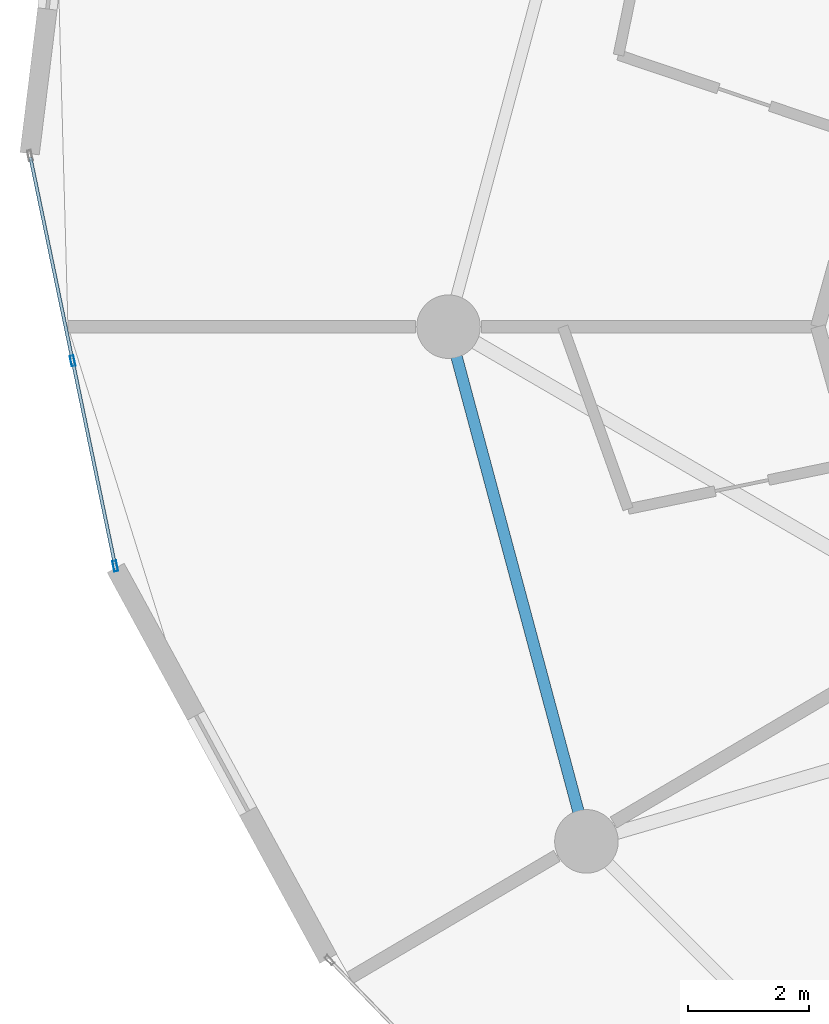
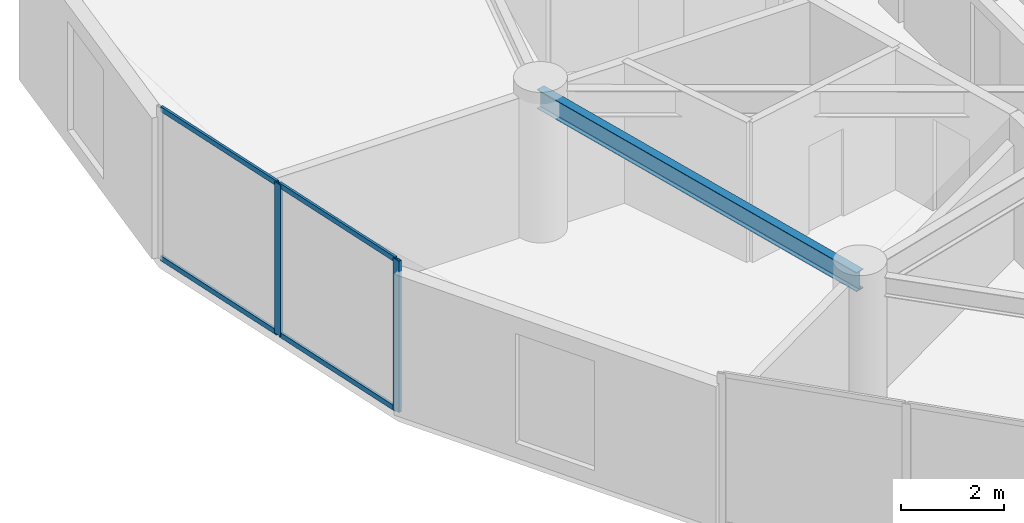
# One storey, part 6 of 25: 6 members, 1 beam, 1 element without a shape of its own.
"""IFC4 building model written with IfcOpenShell, lengths in metres."""

import ifcopenshell
import ifcopenshell.guid

model = None  # the IFC model being written
_history = None  # IfcOwnerHistory: only IFC2X3 demands one
_inside = {}  # id of a spatial element -> (the spatial element, [elements in it])
_under = {}  # id of a project, library or spatial element -> (it, [spatial elements below it])
_declared = {}  # id of a project -> (the project, [libraries it declares])
_typed = {}  # id of a type object -> (the type object, [elements of that type])
_made_of = {}  # id of a material, layer set ... -> (it, [elements and type objects made of it])


def new_model(schema):
    """Start an empty IFC model of exactly this schema.

    Asked for "IFC4X3", IfcOpenShell would pick the latest addendum, in which some entities
    have other attributes; the version numbers below select the first issue.
    IFC2X3 requires an IfcOwnerHistory on every rooted entity: one is made here for all.
    """
    global model, _history
    if schema == "IFC4X3":
        model = ifcopenshell.file(schema_version=(4, 3, 0, 0))
    else:
        model = ifcopenshell.file(schema=schema)
    _inside.clear()
    _under.clear()
    _declared.clear()
    _typed.clear()
    _made_of.clear()
    _history = None
    if model.schema == "IFC2X3":
        org = make("IfcOrganization", Name="unknown")
        user = make(
            "IfcPersonAndOrganization",
            ThePerson=make("IfcPerson", FamilyName="unknown"),
            TheOrganization=org,
        )
        app = make(
            "IfcApplication",
            ApplicationDeveloper=org,
            Version="unknown",
            ApplicationFullName="unknown",
            ApplicationIdentifier="unknown",
        )
        _history = make(
            "IfcOwnerHistory",
            OwningUser=user,
            OwningApplication=app,
            ChangeAction="ADDED",
            CreationDate=0,
        )
    return model


def make(cls, **values):
    """One entity of the class cls with the attributes given. An attribute that is None is left unset."""
    return model.create_entity(
        cls, **{name: value for name, value in values.items() if value is not None}
    )


def rooted(cls, **values):
    """An entity with a GlobalId (a new one), such as an element, a storey or a relation."""
    return make(cls, GlobalId=ifcopenshell.guid.new(), OwnerHistory=_history, **values)


def si_unit(unit_type, name, prefix=None):
    """IfcSIUnit, for example si_unit("LENGTHUNIT", "METRE", prefix="MILLI")."""
    return make("IfcSIUnit", UnitType=unit_type, Prefix=prefix, Name=name)


def assignment(units):
    """IfcUnitAssignment: the units of a project."""
    return None if units is None else make("IfcUnitAssignment", Units=units)


def point(xyz):
    """IfcCartesianPoint."""
    return None if xyz is None else make("IfcCartesianPoint", Coordinates=xyz)


def direction(xyz):
    """IfcDirection."""
    return None if xyz is None else make("IfcDirection", DirectionRatios=xyz)


def frame(location, z_axis=None, x_axis=None):
    """IfcAxis2Placement3D, a coordinate frame: its origin and axes. An axis left out is left unset."""
    return make(
        "IfcAxis2Placement3D",
        Location=point(location),
        Axis=direction(z_axis),
        RefDirection=direction(x_axis),
    )


def frame_2d(location, x_axis=None):
    """IfcAxis2Placement2D, a coordinate frame in the plane: its origin and x axis."""
    return make(
        "IfcAxis2Placement2D", Location=point(location), RefDirection=direction(x_axis)
    )


def origin():
    """The frame at (0, 0, 0) with its axes left unset."""
    return frame((0.0, 0.0, 0.0))


def origin_2d():
    """The frame at (0, 0) in the plane with its x axis left unset."""
    return frame_2d((0.0, 0.0))


def place(relative_to, where):
    """IfcLocalPlacement: puts the frame where relative to a parent placement (None: the world)."""
    return make(
        "IfcLocalPlacement", PlacementRelTo=relative_to, RelativePlacement=where
    )


def context(
    kind, dimensions, precision=None, world=None, true_north=None, identifier=None
):
    """IfcGeometricRepresentationContext, for example the 3D "Model" context."""
    return make(
        "IfcGeometricRepresentationContext",
        ContextIdentifier=identifier,
        ContextType=kind,
        CoordinateSpaceDimension=dimensions,
        Precision=precision,
        WorldCoordinateSystem=world,
        TrueNorth=true_north,
    )


def subcontext(parent, identifier, kind, view, scale=None):
    """IfcGeometricRepresentationSubContext, for example "Body" below "Model"."""
    return make(
        "IfcGeometricRepresentationSubContext",
        ContextIdentifier=identifier,
        ContextType=kind,
        ParentContext=parent,
        TargetScale=scale,
        TargetView=view,
    )


def project(units=None, contexts=None):
    """IfcProject with its units and contexts."""
    return rooted(
        "IfcProject",
        Name="project",
        RepresentationContexts=contexts,
        UnitsInContext=assignment(units),
    )


def spatial(cls, under=None, at=None, **own):
    """A site, building, storey or space (cls), placed at a placement, below another one or the project."""
    s = rooted(cls, ObjectPlacement=at, **own)
    if under is not None:
        _under.setdefault(under.id(), (under, []))[1].append(s)
    return s


def profile(cls, at=None, kind="AREA", **sizes):
    """A parametric profile (cls). Its sizes go by their IFC names, for example OverallWidth=200.0."""
    return make(cls, ProfileType=kind, Position=at, **sizes)


def hollow_rectangle(**sizes):
    """IfcRectangleHollowProfileDef."""
    return profile("IfcRectangleHollowProfileDef", **sizes)


def i_section(**sizes):
    """IfcIShapeProfileDef."""
    return profile("IfcIShapeProfileDef", **sizes)


def extrude(swept, where, along, depth):
    """IfcExtrudedAreaSolid: the profile swept, set in the frame where, extruded along a direction by depth."""
    return make(
        "IfcExtrudedAreaSolid",
        SweptArea=swept,
        Position=where,
        ExtrudedDirection=direction(along),
        Depth=depth,
    )


def shape(context_of_items, identifier, shape_type, items):
    """IfcShapeRepresentation: the items that make up one representation, for example the "Body"."""
    return make(
        "IfcShapeRepresentation",
        ContextOfItems=context_of_items,
        RepresentationIdentifier=identifier,
        RepresentationType=shape_type,
        Items=items,
    )


def source(mapping_origin, context_of_items, identifier, shape_type, items):
    """IfcRepresentationMap: a shape defined once, which mapped items show again and again."""
    return make(
        "IfcRepresentationMap",
        MappingOrigin=mapping_origin,
        MappedRepresentation=shape(context_of_items, identifier, shape_type, items),
    )


def transform(
    local_origin,
    x_axis=None,
    y_axis=None,
    z_axis=None,
    scale=None,
    scale2=None,
    scale3=None,
    uniform=True,
):
    """IfcCartesianTransformationOperator3D, or its non-uniform kind. x_axis, y_axis, z_axis: its Axis1, 2, 3."""
    if uniform:
        return make(
            "IfcCartesianTransformationOperator3D",
            Axis1=direction(x_axis),
            Axis2=direction(y_axis),
            LocalOrigin=point(local_origin),
            Scale=scale,
            Axis3=direction(z_axis),
        )
    return make(
        "IfcCartesianTransformationOperator3DnonUniform",
        Axis1=direction(x_axis),
        Axis2=direction(y_axis),
        LocalOrigin=point(local_origin),
        Scale=scale,
        Axis3=direction(z_axis),
        Scale2=scale2,
        Scale3=scale3,
    )


def mapped(mapping_source, mapping_target):
    """IfcMappedItem: shows the shape of a source again, moved by a transform."""
    return make(
        "IfcMappedItem", MappingSource=mapping_source, MappingTarget=mapping_target
    )


def material(Name=None, Category=None):
    """IfcMaterial."""
    return make("IfcMaterial", Name=Name, Category=Category)


def layer(
    of_material, thickness, ventilated=None, Name=None, Category=None, Priority=None
):
    """IfcMaterialLayer: one layer of a wall or slab, of a material (None: an air gap)."""
    return make(
        "IfcMaterialLayer",
        Material=of_material,
        LayerThickness=thickness,
        IsVentilated=ventilated,
        Name=Name,
        Category=Category,
        Priority=Priority,
    )


def layer_set(layers, Name=None):
    """IfcMaterialLayerSet."""
    return make("IfcMaterialLayerSet", MaterialLayers=layers, LayerSetName=Name)


def material_profile(
    of_material, cross_section, Name=None, Category=None, Priority=None
):
    """IfcMaterialProfile: a cross section and its material."""
    return make(
        "IfcMaterialProfile",
        Name=Name,
        Material=of_material,
        Profile=cross_section,
        Priority=Priority,
        Category=Category,
    )


def profile_set(profiles, Name=None, composite=None):
    """IfcMaterialProfileSet."""
    return make(
        "IfcMaterialProfileSet",
        Name=Name,
        MaterialProfiles=profiles,
        CompositeProfile=composite,
    )


def made_of(thing, what):
    """Note that an element or type object is made of a material, layer set ...; save() writes the relation."""
    if what is not None:
        _made_of.setdefault(what.id(), (what, []))[1].append(thing)
    return thing


def type_object(cls, material=None, **own):
    """A type object (cls), such as IfcWallType, which elements share."""
    return made_of(rooted(cls, **own), material)


def element(
    cls,
    number,
    at=None,
    inside=None,
    cuts=None,
    type_object=None,
    material=None,
    context=None,
    identifier="Body",
    shape_type=None,
    held_by="IfcProductDefinitionShape",
    body=None,
    shapes=None,
    **own,
):
    """One element of the class cls, such as IfcWall. Its Tag is "e" and its number.

    at: its placement. inside: the storey or other place that contains it. cuts: it is an
    opening in that element (IfcRelVoidsElement). A single representation is given by context,
    identifier, shape_type and body (its items); several are given by shapes. held_by: the class
    of the entity that holds the representations. save() writes the other relations.
    """
    e = rooted(cls, Tag="e%d" % number, ObjectPlacement=at, **own)
    if body is not None:
        shapes = [shape(context, identifier, shape_type, body)]
    if shapes is not None:
        e.Representation = make(held_by, Representations=shapes)
    if inside is not None:
        _inside.setdefault(inside.id(), (inside, []))[1].append(e)
    if cuts is not None:
        rooted(
            "IfcRelVoidsElement", RelatingBuildingElement=cuts, RelatedOpeningElement=e
        )
    if type_object is not None:
        _typed.setdefault(type_object.id(), (type_object, []))[1].append(e)
    return made_of(e, material)


def aggregate(whole, parts):
    """IfcRelAggregates: a whole, such as a stair, and the parts it consists of."""
    return rooted("IfcRelAggregates", RelatingObject=whole, RelatedObjects=parts)


def save(model, path):
    """Write the relations noted so far, then the file.

    IfcRelAggregates (storeys below a building ...), IfcRelContainedInSpatialStructure (elements
    in a storey), IfcRelDefinesByType, IfcRelAssociatesMaterial and IfcRelDeclares: one each for
    every whole, place, type object, material and project.
    """
    for whole, parts in _under.values():
        aggregate(whole, parts)
    for where, things in _inside.values():
        rooted(
            "IfcRelContainedInSpatialStructure",
            RelatedElements=things,
            RelatingStructure=where,
        )
    for kind, things in _typed.values():
        rooted("IfcRelDefinesByType", RelatedObjects=things, RelatingType=kind)
    for what, things in _made_of.values():
        rooted("IfcRelAssociatesMaterial", RelatedObjects=things, RelatingMaterial=what)
    for by, libraries in _declared.values():
        rooted("IfcRelDeclares", RelatingContext=by, RelatedDefinitions=libraries)
    model.write(path)


model = new_model("IFC4")

# Units and contexts
model_context = context("Model", 3, precision=1e-05, world=origin(), true_north=direction((0.0, 1.0)))
body_context = subcontext(model_context, "Body", "Model", "MODEL_VIEW")
ifc_project = project(units=[si_unit("LENGTHUNIT", "METRE"), si_unit("AREAUNIT", "SQUARE_METRE"), si_unit("VOLUMEUNIT", "CUBIC_METRE"), si_unit("PLANEANGLEUNIT", "RADIAN"), si_unit("MASSUNIT", "GRAM", prefix="KILO")], contexts=[model_context])

# Site, building, storey
site_placement = place(None, origin())
site = spatial("IfcSite", under=ifc_project, at=site_placement, CompositionType="ELEMENT")
building_placement = place(site_placement, origin())
building = spatial("IfcBuilding", under=site, at=building_placement, Name="Solvirekh Grand Hotel", CompositionType="ELEMENT")
storey_placement = place(building_placement, frame((0.0, 0.0, 127.800048828125)))
storey = spatial("IfcBuildingStorey", under=building, at=storey_placement, Name="L32", CompositionType="ELEMENT", Elevation=127.800048828125)

# Beam
ifc_material_1 = material(Name="Steel S355", Category="steel")
ifc_material_profile_1 = material_profile(ifc_material_1, i_section(OverallWidth=0.18994140625, OverallDepth=0.45703125, WebThickness=0.009033203125, FlangeThickness=0.013916015625, FilletRadius=0.012939453125, at=origin_2d()), Name="W460X74")
ifc_profile_set_1 = profile_set([ifc_material_profile_1], Name="Steel S355")
beam_type = type_object("IfcBeamType", Name="Spandrel_Ring_W460", PredefinedType="SPANDREL", material=ifc_profile_set_1)
beam_placement = place(storey_placement, frame((-17.0, 0.0, 3.1220703125), z_axis=(0.258872908946, -0.965911391906, 0.0), x_axis=(0.965911391906, 0.258872908946, 0.0)))
element("IfcBeam", 1, at=beam_placement, inside=storey, type_object=beam_type, Name="L32 perimeter spandrel beam 7", PredefinedType="SPANDREL", context=body_context, shape_type="SweptSolid", body=[
    extrude(i_section(OverallWidth=0.18994140625, OverallDepth=0.45703125, WebThickness=0.009033203125, FlangeThickness=0.013916015625, FilletRadius=0.012939453125, at=origin_2d()), origin(), (0.0, 0.0, 1.0), 8.800048828125),
])

# Curtain wall, members
ifc_material_2 = material(Name="Anodized Bronze Aluminium 6063-T6", Category="aluminium")
ifc_layer = layer(ifc_material_2, 0.175048828125)
ifc_layer_set = layer_set([ifc_layer], Name="Anodized Bronze Aluminium 6063-T6")
curtain_wall_type = type_object("IfcCurtainWallType", Name="CW_Sys3_MidZoneFlushBronzeCW", PredefinedType="NOTDEFINED", material=ifc_layer_set)
curtain_wall_placement = place(storey_placement, origin())
curtain_wall = element("IfcCurtainWall", 2, at=curtain_wall_placement, inside=storey, type_object=curtain_wall_type, Name="L32 unitised bronze-glass curtain wall CW-L32-C13", PredefinedType="NOTDEFINED")
ifc_material_profile_2 = material_profile(ifc_material_2, hollow_rectangle(XDim=0.06494140625, YDim=0.175048828125, WallThickness=0.0048828125, at=origin_2d()), Name="ALU RHS 175X65X5")
ifc_profile_set_2 = profile_set([ifc_material_profile_2], Name="Anodized Bronze Aluminium 6063-T6")
member_type_1 = type_object("IfcMemberType", Name="CWMullion_Sys3", PredefinedType="MULLION", material=ifc_profile_set_2)
shared_shape_1 = source(origin(), body_context, "Body", "SweptSolid", [
    extrude(hollow_rectangle(XDim=0.06494140625, YDim=0.175048828125, WallThickness=0.0048828125, at=origin_2d()), origin(), (0.0, 0.0, 1.0), 3.599853515625),
])
member_1_placement = place(storey_placement, frame((-23.20751953125, -0.5634765625, 0.0), z_axis=(0.0, 0.0, 1.0), x_axis=(0.979112345229, 0.203319982834, 0.0)))
member_1 = element("IfcMember", 3, at=member_1_placement, type_object=member_type_1, Name="U03 mullion 2", PredefinedType="MULLION", context=body_context, shape_type="MappedRepresentation", body=[
    mapped(shared_shape_1, transform((0.0, 0.0, 0.0), x_axis=(1.0, 0.0, 0.0), y_axis=(0.0, 1.0, 0.0), z_axis=(0.0, 0.0, 1.0), scale=1.0)),
])
member_2_placement = place(storey_placement, frame((-22.503662109375, -3.953125, 0.0), z_axis=(0.0, 0.0, 1.0), x_axis=(0.979112345229, 0.203319982834, 0.0)))
member_2 = element("IfcMember", 4, at=member_2_placement, type_object=member_type_1, Name="U03 mullion 3", PredefinedType="MULLION", context=body_context, shape_type="MappedRepresentation", body=[
    mapped(shared_shape_1, transform((0.0, 0.0, 0.0), x_axis=(1.0, 0.0, 0.0), y_axis=(0.0, 1.0, 0.0), z_axis=(0.0, 0.0, 1.0), scale=1.0)),
])
ifc_material_profile_3 = material_profile(ifc_material_2, hollow_rectangle(XDim=0.054931640625, YDim=0.1201171875, WallThickness=0.00390625, at=origin_2d()), Name="ALU RHS 120X55X4")
ifc_profile_set_3 = profile_set([ifc_material_profile_3], Name="Anodized Bronze Aluminium 6063-T6")
member_type_2 = type_object("IfcMemberType", Name="CWTransom_Sys3", PredefinedType="USERDEFINED", material=ifc_profile_set_3)
shared_shape_2 = source(origin(), body_context, "Body", "SweptSolid", [
    extrude(hollow_rectangle(XDim=0.054931640625, YDim=0.1201171875, WallThickness=0.00390625, at=origin_2d()), origin(), (0.0, 0.0, 1.0), 3.397216796875),
])
member_3_placement = place(storey_placement, frame((-23.90478515625, 2.79443359375, 0.02734375), z_axis=(0.203311354476, -0.979114136933, 0.0), x_axis=(0.979114136933, 0.203311354476, 0.0)))
member_3 = element("IfcMember", 5, at=member_3_placement, type_object=member_type_2, Name="U03 transom 1.1", ObjectType="TRANSOM", PredefinedType="USERDEFINED", context=body_context, shape_type="MappedRepresentation", body=[
    mapped(shared_shape_2, transform((0.0, 0.0, 0.0), x_axis=(1.0, 0.0, 0.0), y_axis=(0.0, 1.0, 0.0), z_axis=(0.0, 0.0, 1.0), scale=1.0)),
])
member_4_placement = place(storey_placement, frame((-23.90478515625, 2.79443359375, 3.572509765625), z_axis=(0.203311354476, -0.979114136933, 0.0), x_axis=(0.979114136933, 0.203311354476, 0.0)))
member_4 = element("IfcMember", 6, at=member_4_placement, type_object=member_type_2, Name="U03 transom 1.2", ObjectType="TRANSOM", PredefinedType="USERDEFINED", context=body_context, shape_type="MappedRepresentation", body=[
    mapped(shared_shape_2, transform((0.0, 0.0, 0.0), x_axis=(1.0, 0.0, 0.0), y_axis=(0.0, 1.0, 0.0), z_axis=(0.0, 0.0, 1.0), scale=1.0)),
])
member_5_placement = place(storey_placement, frame((-23.200927734375, -0.59521484375, 0.02734375), z_axis=(0.203311354476, -0.979114136933, 0.0), x_axis=(0.979114136933, 0.203311354476, 0.0)))
member_5 = element("IfcMember", 7, at=member_5_placement, type_object=member_type_2, Name="U03 transom 2.1", ObjectType="TRANSOM", PredefinedType="USERDEFINED", context=body_context, shape_type="MappedRepresentation", body=[
    mapped(shared_shape_2, transform((0.0, 0.0, 0.0), x_axis=(1.0, 0.0, 0.0), y_axis=(0.0, 1.0, 0.0), z_axis=(0.0, 0.0, 1.0), scale=1.0)),
])
member_6_placement = place(storey_placement, frame((-23.200927734375, -0.59521484375, 3.572509765625), z_axis=(0.203311354476, -0.979114136933, 0.0), x_axis=(0.979114136933, 0.203311354476, 0.0)))
member_6 = element("IfcMember", 8, at=member_6_placement, type_object=member_type_2, Name="U03 transom 2.2", ObjectType="TRANSOM", PredefinedType="USERDEFINED", context=body_context, shape_type="MappedRepresentation", body=[
    mapped(shared_shape_2, transform((0.0, 0.0, 0.0), x_axis=(1.0, 0.0, 0.0), y_axis=(0.0, 1.0, 0.0), z_axis=(0.0, 0.0, 1.0), scale=1.0)),
])
aggregate(curtain_wall, [member_1, member_2, member_3, member_4, member_5, member_6])

save(model, "model.ifc")
